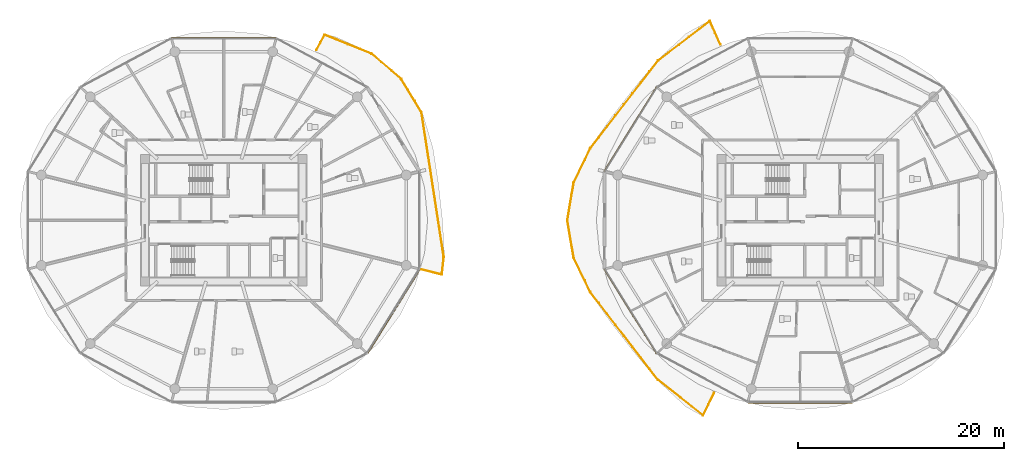
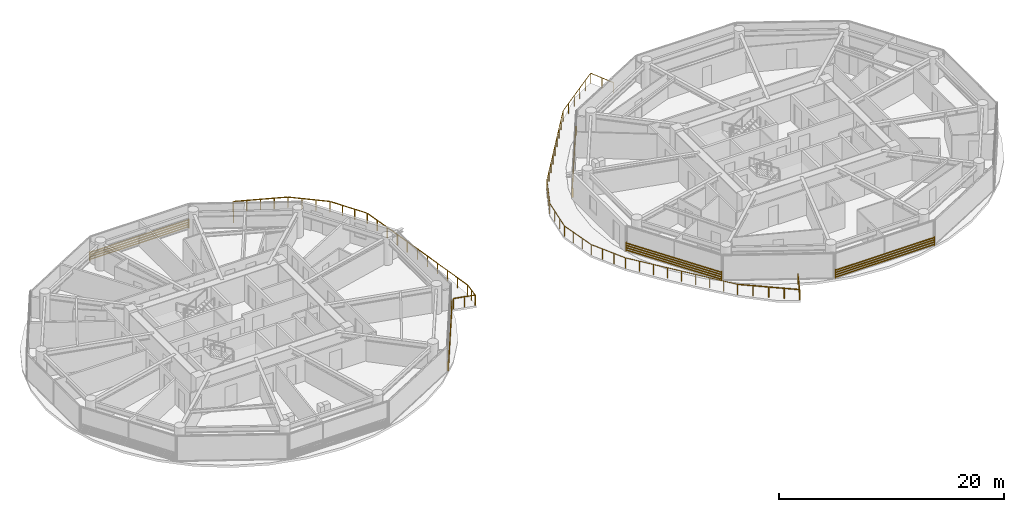
# One storey, part 23 of 26: 5 shading devices, 3 railings.
"""IFC4 building model written with IfcOpenShell, lengths in metres."""

import ifcopenshell
import ifcopenshell.guid

model = None  # the IFC model being written
_history = None  # IfcOwnerHistory: only IFC2X3 demands one
_inside = {}  # id of a spatial element -> (the spatial element, [elements in it])
_under = {}  # id of a project, library or spatial element -> (it, [spatial elements below it])
_declared = {}  # id of a project -> (the project, [libraries it declares])
_typed = {}  # id of a type object -> (the type object, [elements of that type])
_made_of = {}  # id of a material, layer set ... -> (it, [elements and type objects made of it])


def new_model(schema):
    """Start an empty IFC model of exactly this schema.

    Asked for "IFC4X3", IfcOpenShell would pick the latest addendum, in which some entities
    have other attributes; the version numbers below select the first issue.
    IFC2X3 requires an IfcOwnerHistory on every rooted entity: one is made here for all.
    """
    global model, _history
    if schema == "IFC4X3":
        model = ifcopenshell.file(schema_version=(4, 3, 0, 0))
    else:
        model = ifcopenshell.file(schema=schema)
    _inside.clear()
    _under.clear()
    _declared.clear()
    _typed.clear()
    _made_of.clear()
    _history = None
    if model.schema == "IFC2X3":
        org = make("IfcOrganization", Name="unknown")
        user = make(
            "IfcPersonAndOrganization",
            ThePerson=make("IfcPerson", FamilyName="unknown"),
            TheOrganization=org,
        )
        app = make(
            "IfcApplication",
            ApplicationDeveloper=org,
            Version="unknown",
            ApplicationFullName="unknown",
            ApplicationIdentifier="unknown",
        )
        _history = make(
            "IfcOwnerHistory",
            OwningUser=user,
            OwningApplication=app,
            ChangeAction="ADDED",
            CreationDate=0,
        )
    return model


def make(cls, **values):
    """One entity of the class cls with the attributes given. An attribute that is None is left unset."""
    return model.create_entity(
        cls, **{name: value for name, value in values.items() if value is not None}
    )


def rooted(cls, **values):
    """An entity with a GlobalId (a new one), such as an element, a storey or a relation."""
    return make(cls, GlobalId=ifcopenshell.guid.new(), OwnerHistory=_history, **values)


def si_unit(unit_type, name, prefix=None):
    """IfcSIUnit, for example si_unit("LENGTHUNIT", "METRE", prefix="MILLI")."""
    return make("IfcSIUnit", UnitType=unit_type, Prefix=prefix, Name=name)


def assignment(units):
    """IfcUnitAssignment: the units of a project."""
    return None if units is None else make("IfcUnitAssignment", Units=units)


def point(xyz):
    """IfcCartesianPoint."""
    return None if xyz is None else make("IfcCartesianPoint", Coordinates=xyz)


def direction(xyz):
    """IfcDirection."""
    return None if xyz is None else make("IfcDirection", DirectionRatios=xyz)


def frame(location, z_axis=None, x_axis=None):
    """IfcAxis2Placement3D, a coordinate frame: its origin and axes. An axis left out is left unset."""
    return make(
        "IfcAxis2Placement3D",
        Location=point(location),
        Axis=direction(z_axis),
        RefDirection=direction(x_axis),
    )


def frame_2d(location, x_axis=None):
    """IfcAxis2Placement2D, a coordinate frame in the plane: its origin and x axis."""
    return make(
        "IfcAxis2Placement2D", Location=point(location), RefDirection=direction(x_axis)
    )


def origin():
    """The frame at (0, 0, 0) with its axes left unset."""
    return frame((0.0, 0.0, 0.0))


def origin_2d():
    """The frame at (0, 0) in the plane with its x axis left unset."""
    return frame_2d((0.0, 0.0))


def place(relative_to, where):
    """IfcLocalPlacement: puts the frame where relative to a parent placement (None: the world)."""
    return make(
        "IfcLocalPlacement", PlacementRelTo=relative_to, RelativePlacement=where
    )


def context(
    kind, dimensions, precision=None, world=None, true_north=None, identifier=None
):
    """IfcGeometricRepresentationContext, for example the 3D "Model" context."""
    return make(
        "IfcGeometricRepresentationContext",
        ContextIdentifier=identifier,
        ContextType=kind,
        CoordinateSpaceDimension=dimensions,
        Precision=precision,
        WorldCoordinateSystem=world,
        TrueNorth=true_north,
    )


def subcontext(parent, identifier, kind, view, scale=None):
    """IfcGeometricRepresentationSubContext, for example "Body" below "Model"."""
    return make(
        "IfcGeometricRepresentationSubContext",
        ContextIdentifier=identifier,
        ContextType=kind,
        ParentContext=parent,
        TargetScale=scale,
        TargetView=view,
    )


def project(units=None, contexts=None):
    """IfcProject with its units and contexts."""
    return rooted(
        "IfcProject",
        Name="project",
        RepresentationContexts=contexts,
        UnitsInContext=assignment(units),
    )


def spatial(cls, under=None, at=None, **own):
    """A site, building, storey or space (cls), placed at a placement, below another one or the project."""
    s = rooted(cls, ObjectPlacement=at, **own)
    if under is not None:
        _under.setdefault(under.id(), (under, []))[1].append(s)
    return s


def profile(cls, at=None, kind="AREA", **sizes):
    """A parametric profile (cls). Its sizes go by their IFC names, for example OverallWidth=200.0."""
    return make(cls, ProfileType=kind, Position=at, **sizes)


def rectangle(**sizes):
    """IfcRectangleProfileDef."""
    return profile("IfcRectangleProfileDef", **sizes)


def extrude(swept, where, along, depth):
    """IfcExtrudedAreaSolid: the profile swept, set in the frame where, extruded along a direction by depth."""
    return make(
        "IfcExtrudedAreaSolid",
        SweptArea=swept,
        Position=where,
        ExtrudedDirection=direction(along),
        Depth=depth,
    )


def shape(context_of_items, identifier, shape_type, items):
    """IfcShapeRepresentation: the items that make up one representation, for example the "Body"."""
    return make(
        "IfcShapeRepresentation",
        ContextOfItems=context_of_items,
        RepresentationIdentifier=identifier,
        RepresentationType=shape_type,
        Items=items,
    )


def source(mapping_origin, context_of_items, identifier, shape_type, items):
    """IfcRepresentationMap: a shape defined once, which mapped items show again and again."""
    return make(
        "IfcRepresentationMap",
        MappingOrigin=mapping_origin,
        MappedRepresentation=shape(context_of_items, identifier, shape_type, items),
    )


def transform(
    local_origin,
    x_axis=None,
    y_axis=None,
    z_axis=None,
    scale=None,
    scale2=None,
    scale3=None,
    uniform=True,
):
    """IfcCartesianTransformationOperator3D, or its non-uniform kind. x_axis, y_axis, z_axis: its Axis1, 2, 3."""
    if uniform:
        return make(
            "IfcCartesianTransformationOperator3D",
            Axis1=direction(x_axis),
            Axis2=direction(y_axis),
            LocalOrigin=point(local_origin),
            Scale=scale,
            Axis3=direction(z_axis),
        )
    return make(
        "IfcCartesianTransformationOperator3DnonUniform",
        Axis1=direction(x_axis),
        Axis2=direction(y_axis),
        LocalOrigin=point(local_origin),
        Scale=scale,
        Axis3=direction(z_axis),
        Scale2=scale2,
        Scale3=scale3,
    )


def mapped(mapping_source, mapping_target):
    """IfcMappedItem: shows the shape of a source again, moved by a transform."""
    return make(
        "IfcMappedItem", MappingSource=mapping_source, MappingTarget=mapping_target
    )


def material(Name=None, Category=None):
    """IfcMaterial."""
    return make("IfcMaterial", Name=Name, Category=Category)


def made_of(thing, what):
    """Note that an element or type object is made of a material, layer set ...; save() writes the relation."""
    if what is not None:
        _made_of.setdefault(what.id(), (what, []))[1].append(thing)
    return thing


def type_object(cls, material=None, **own):
    """A type object (cls), such as IfcWallType, which elements share."""
    return made_of(rooted(cls, **own), material)


def type_shapes(of_type, sources):
    """Give a type object the sources (RepresentationMaps) that its elements show as mapped items."""
    of_type.RepresentationMaps = sources


def element(
    cls,
    number,
    at=None,
    inside=None,
    cuts=None,
    type_object=None,
    material=None,
    context=None,
    identifier="Body",
    shape_type=None,
    held_by="IfcProductDefinitionShape",
    body=None,
    shapes=None,
    **own,
):
    """One element of the class cls, such as IfcWall. Its Tag is "e" and its number.

    at: its placement. inside: the storey or other place that contains it. cuts: it is an
    opening in that element (IfcRelVoidsElement). A single representation is given by context,
    identifier, shape_type and body (its items); several are given by shapes. held_by: the class
    of the entity that holds the representations. save() writes the other relations.
    """
    e = rooted(cls, Tag="e%d" % number, ObjectPlacement=at, **own)
    if body is not None:
        shapes = [shape(context, identifier, shape_type, body)]
    if shapes is not None:
        e.Representation = make(held_by, Representations=shapes)
    if inside is not None:
        _inside.setdefault(inside.id(), (inside, []))[1].append(e)
    if cuts is not None:
        rooted(
            "IfcRelVoidsElement", RelatingBuildingElement=cuts, RelatedOpeningElement=e
        )
    if type_object is not None:
        _typed.setdefault(type_object.id(), (type_object, []))[1].append(e)
    return made_of(e, material)


def aggregate(whole, parts):
    """IfcRelAggregates: a whole, such as a stair, and the parts it consists of."""
    return rooted("IfcRelAggregates", RelatingObject=whole, RelatedObjects=parts)


def save(model, path):
    """Write the relations noted so far, then the file.

    IfcRelAggregates (storeys below a building ...), IfcRelContainedInSpatialStructure (elements
    in a storey), IfcRelDefinesByType, IfcRelAssociatesMaterial and IfcRelDeclares: one each for
    every whole, place, type object, material and project.
    """
    for whole, parts in _under.values():
        aggregate(whole, parts)
    for where, things in _inside.values():
        rooted(
            "IfcRelContainedInSpatialStructure",
            RelatedElements=things,
            RelatingStructure=where,
        )
    for kind, things in _typed.values():
        rooted("IfcRelDefinesByType", RelatedObjects=things, RelatingType=kind)
    for what, things in _made_of.values():
        rooted("IfcRelAssociatesMaterial", RelatedObjects=things, RelatingMaterial=what)
    for by, libraries in _declared.values():
        rooted("IfcRelDeclares", RelatingContext=by, RelatedDefinitions=libraries)
    model.write(path)


model = new_model("IFC4")

# Units and contexts
model_context = context("Model", 3, precision=1e-05, world=origin(), true_north=direction((0.0, 1.0)))
body_context = subcontext(model_context, "Body", "Model", "MODEL_VIEW")
ifc_project = project(units=[si_unit("LENGTHUNIT", "METRE"), si_unit("AREAUNIT", "SQUARE_METRE"), si_unit("VOLUMEUNIT", "CUBIC_METRE"), si_unit("PLANEANGLEUNIT", "RADIAN"), si_unit("MASSUNIT", "GRAM", prefix="KILO")], contexts=[model_context])

# Site, building, storey
site_placement = place(None, origin())
site = spatial("IfcSite", under=ifc_project, at=site_placement, CompositionType="ELEMENT")
building_placement = place(site_placement, origin())
building = spatial("IfcBuilding", under=site, at=building_placement, Name="Norrkilde Senior Care Towers", CompositionType="ELEMENT")
storey_placement = place(building_placement, frame((0.0, 0.0, 67.35009765625)))
storey = spatial("IfcBuildingStorey", under=building, at=storey_placement, Name="L20", CompositionType="ELEMENT", Elevation=67.35009765625)

# Railings
ifc_material_1 = material(Name="Anodised Aluminium", Category="aluminium")
railing_type = type_object("IfcRailingType", Name="Balcony Swirl Ribbon Guardrail 1150", PredefinedType="GUARDRAIL", material=ifc_material_1)
railing_1_placement = place(storey_placement, frame((14.187255859375, -15.5068359375, 0.0)))
element("IfcRailing", 1, at=railing_1_placement, inside=storey, type_object=railing_type, Name="L20 Perimeter Safety Guard 01", PredefinedType="GUARDRAIL", context=body_context, shape_type="SweptSolid", body=[
    extrude(rectangle(XDim=0.048095703125, YDim=0.048095703125, at=origin_2d()), frame((0.0, 0.0, 1.1259765625), z_axis=(-0.610699505536, 0.791862433721, 0.0), x_axis=(-0.791862433721, -0.610699505536, 0.0)), (0.0, 0.0, 1.0), 10.7294921875),
    extrude(rectangle(XDim=0.048095703125, YDim=0.048095703125, at=origin_2d()), frame((-6.59521484375, 8.5654296875, 1.1259765625), z_axis=(-0.436325473672, 0.899788909147, 0.0), x_axis=(-0.899788909147, -0.436325473672, 0.0)), (0.0, 0.0, 1.0), 3.606689453125),
    extrude(rectangle(XDim=0.048095703125, YDim=0.048095703125, at=origin_2d()), frame((-8.193603515625, 11.8876953125, 1.1259765625), z_axis=(-0.16688388307, 0.985976556299, 0.0), x_axis=(-0.985976556299, -0.16688388307, 0.0)), (0.0, 0.0, 1.0), 3.629638671875),
    extrude(rectangle(XDim=0.048095703125, YDim=0.048095703125, at=origin_2d()), frame((-8.79931640625, 15.547119140625, 1.1259765625), z_axis=(0.16688388307, 0.985976556299, 0.0), x_axis=(-0.985976556299, 0.16688388307, 0.0)), (0.0, 0.0, 1.0), 3.629638671875),
    extrude(rectangle(XDim=0.048095703125, YDim=0.048095703125, at=origin_2d()), frame((-8.1689453125, 19.203125, 1.1259765625), z_axis=(0.436325473672, 0.899788909147, 0.0), x_axis=(-0.899788909147, 0.436325473672, 0.0)), (0.0, 0.0, 1.0), 3.606689453125),
    extrude(rectangle(XDim=0.048095703125, YDim=0.048095703125, at=origin_2d()), frame((-6.552490234375, 22.517578125, 1.1259765625), z_axis=(0.610699505536, 0.791862433721, 0.0), x_axis=(-0.791862433721, 0.610699505536, 0.0)), (0.0, 0.0, 1.0), 10.6884765625),
    extrude(rectangle(XDim=0.048095703125, YDim=0.048095703125, at=origin_2d()), frame((0.032470703125, 31.038330078125, 1.1259765625), z_axis=(0.796061946443, 0.605215149699, 0.0), x_axis=(-0.605215149699, 0.796061946443, 0.0)), (0.0, 0.0, 1.0), 6.25439453125),
    extrude(rectangle(XDim=0.048095703125, YDim=0.048095703125, at=origin_2d()), frame((5.060791015625, 34.81103515625, 1.1259765625), z_axis=(0.409502361018, -0.912309057458, 0.0), x_axis=(0.912309057458, 0.409502361018, 0.0)), (0.0, 0.0, 1.0), 2.455322265625),
    extrude(rectangle(XDim=0.0419921875, YDim=0.0419921875, at=origin_2d()), origin(), (0.0, 0.0, 1.0), 1.099853515625),
    extrude(rectangle(XDim=0.0419921875, YDim=0.0419921875, at=origin_2d()), frame((-0.822265625, 1.066162109375, 0.0)), (0.0, 0.0, 1.0), 1.099853515625),
    extrude(rectangle(XDim=0.0419921875, YDim=0.0419921875, at=origin_2d()), frame((-1.644287109375, 2.132080078125, 0.0)), (0.0, 0.0, 1.0), 1.099853515625),
    extrude(rectangle(XDim=0.0419921875, YDim=0.0419921875, at=origin_2d()), frame((-2.466552734375, 3.1982421875, 0.0)), (0.0, 0.0, 1.0), 1.099853515625),
    extrude(rectangle(XDim=0.0419921875, YDim=0.0419921875, at=origin_2d()), frame((-3.28857421875, 4.26416015625, 0.0)), (0.0, 0.0, 1.0), 1.099853515625),
    extrude(rectangle(XDim=0.0419921875, YDim=0.0419921875, at=origin_2d()), frame((-4.11083984375, 5.330322265625, 0.0)), (0.0, 0.0, 1.0), 1.099853515625),
    extrude(rectangle(XDim=0.0419921875, YDim=0.0419921875, at=origin_2d()), frame((-4.93310546875, 6.396484375, 0.0)), (0.0, 0.0, 1.0), 1.099853515625),
    extrude(rectangle(XDim=0.0419921875, YDim=0.0419921875, at=origin_2d()), frame((-5.755126953125, 7.46240234375, 0.0)), (0.0, 0.0, 1.0), 1.099853515625),
    extrude(rectangle(XDim=0.0419921875, YDim=0.0419921875, at=origin_2d()), frame((-6.577392578125, 8.528564453125, 0.0)), (0.0, 0.0, 1.0), 1.099853515625),
    extrude(rectangle(XDim=0.0419921875, YDim=0.0419921875, at=origin_2d()), frame((-7.11376953125, 9.634765625, 0.0)), (0.0, 0.0, 1.0), 1.099853515625),
    extrude(rectangle(XDim=0.0419921875, YDim=0.0419921875, at=origin_2d()), frame((-7.650390625, 10.7412109375, 0.0)), (0.0, 0.0, 1.0), 1.099853515625),
    extrude(rectangle(XDim=0.0419921875, YDim=0.0419921875, at=origin_2d()), frame((-8.186767578125, 11.847412109375, 0.0)), (0.0, 0.0, 1.0), 1.099853515625),
    extrude(rectangle(XDim=0.0419921875, YDim=0.0419921875, at=origin_2d()), frame((-8.393310546875, 13.067138671875, 0.0)), (0.0, 0.0, 1.0), 1.099853515625),
    extrude(rectangle(XDim=0.0419921875, YDim=0.0419921875, at=origin_2d()), frame((-8.599609375, 14.287109375, 0.0)), (0.0, 0.0, 1.0), 1.099853515625),
    extrude(rectangle(XDim=0.0419921875, YDim=0.0419921875, at=origin_2d()), frame((-8.80615234375, 15.5068359375, 0.0)), (0.0, 0.0, 1.0), 1.099853515625),
    extrude(rectangle(XDim=0.0419921875, YDim=0.0419921875, at=origin_2d()), frame((-8.599609375, 16.7265625, 0.0)), (0.0, 0.0, 1.0), 1.099853515625),
    extrude(rectangle(XDim=0.0419921875, YDim=0.0419921875, at=origin_2d()), frame((-8.393310546875, 17.946533203125, 0.0)), (0.0, 0.0, 1.0), 1.099853515625),
    extrude(rectangle(XDim=0.0419921875, YDim=0.0419921875, at=origin_2d()), frame((-8.186767578125, 19.166259765625, 0.0)), (0.0, 0.0, 1.0), 1.099853515625),
    extrude(rectangle(XDim=0.0419921875, YDim=0.0419921875, at=origin_2d()), frame((-7.650390625, 20.2724609375, 0.0)), (0.0, 0.0, 1.0), 1.099853515625),
    extrude(rectangle(XDim=0.0419921875, YDim=0.0419921875, at=origin_2d()), frame((-7.11376953125, 21.37890625, 0.0)), (0.0, 0.0, 1.0), 1.099853515625),
    extrude(rectangle(XDim=0.0419921875, YDim=0.0419921875, at=origin_2d()), frame((-6.577392578125, 22.485107421875, 0.0)), (0.0, 0.0, 1.0), 1.099853515625),
    extrude(rectangle(XDim=0.0419921875, YDim=0.0419921875, at=origin_2d()), frame((-5.755126953125, 23.55126953125, 0.0)), (0.0, 0.0, 1.0), 1.099853515625),
    extrude(rectangle(XDim=0.0419921875, YDim=0.0419921875, at=origin_2d()), frame((-4.93310546875, 24.6171875, 0.0)), (0.0, 0.0, 1.0), 1.099853515625),
    extrude(rectangle(XDim=0.0419921875, YDim=0.0419921875, at=origin_2d()), frame((-4.11083984375, 25.683349609375, 0.0)), (0.0, 0.0, 1.0), 1.099853515625),
    extrude(rectangle(XDim=0.0419921875, YDim=0.0419921875, at=origin_2d()), frame((-3.28857421875, 26.74951171875, 0.0)), (0.0, 0.0, 1.0), 1.099853515625),
    extrude(rectangle(XDim=0.0419921875, YDim=0.0419921875, at=origin_2d()), frame((-2.466552734375, 27.8154296875, 0.0)), (0.0, 0.0, 1.0), 1.099853515625),
    extrude(rectangle(XDim=0.0419921875, YDim=0.0419921875, at=origin_2d()), frame((-1.644287109375, 28.881591796875, 0.0)), (0.0, 0.0, 1.0), 1.099853515625),
    extrude(rectangle(XDim=0.0419921875, YDim=0.0419921875, at=origin_2d()), frame((-0.822265625, 29.947509765625, 0.0)), (0.0, 0.0, 1.0), 1.099853515625),
    extrude(rectangle(XDim=0.0419921875, YDim=0.0419921875, at=origin_2d()), frame((0.0, 31.013671875, 0.0)), (0.0, 0.0, 1.0), 1.099853515625),
    extrude(rectangle(XDim=0.0419921875, YDim=0.0419921875, at=origin_2d()), frame((1.0087890625, 31.780517578125, 0.0)), (0.0, 0.0, 1.0), 1.099853515625),
    extrude(rectangle(XDim=0.0419921875, YDim=0.0419921875, at=origin_2d()), frame((2.017578125, 32.547607421875, 0.0)), (0.0, 0.0, 1.0), 1.099853515625),
    extrude(rectangle(XDim=0.0419921875, YDim=0.0419921875, at=origin_2d()), frame((3.0263671875, 33.314453125, 0.0)), (0.0, 0.0, 1.0), 1.099853515625),
    extrude(rectangle(XDim=0.0419921875, YDim=0.0419921875, at=origin_2d()), frame((4.03515625, 34.08154296875, 0.0)), (0.0, 0.0, 1.0), 1.099853515625),
    extrude(rectangle(XDim=0.0419921875, YDim=0.0419921875, at=origin_2d()), frame((5.0439453125, 34.848388671875, 0.0)), (0.0, 0.0, 1.0), 1.099853515625),
    extrude(rectangle(XDim=0.0419921875, YDim=0.0419921875, at=origin_2d()), frame((5.55517578125, 33.709716796875, 0.0)), (0.0, 0.0, 1.0), 1.099853515625),
    extrude(rectangle(XDim=0.0419921875, YDim=0.0419921875, at=origin_2d()), frame((6.066162109375, 32.571044921875, 0.0)), (0.0, 0.0, 1.0), 1.099853515625),
])
railing_2_placement = place(storey_placement, frame((19.630126953125, -16.794189453125, 0.0)))
element("IfcRailing", 2, at=railing_2_placement, inside=storey, type_object=railing_type, Name="L20 Perimeter Safety Guard 02", PredefinedType="GUARDRAIL", context=body_context, shape_type="SweptSolid", body=[
    extrude(rectangle(XDim=0.048095703125, YDim=0.048095703125, at=origin_2d()), frame((0.0, 0.0, 1.1259765625), z_axis=(-0.442171534291, -0.89693050693, 0.0), x_axis=(0.89693050693, -0.442171534291, 0.0)), (0.0, 0.0, 1.0), 2.383544921875),
    extrude(rectangle(XDim=0.048095703125, YDim=0.048095703125, at=origin_2d()), frame((-1.10400390625, -2.149169921875, 1.1259765625), z_axis=(-0.783901080314, 0.620885735287, 0.0), x_axis=(-0.620885735287, -0.783901080314, 0.0)), (0.0, 0.0, 1.0), 5.534912109375),
    extrude(rectangle(XDim=0.0419921875, YDim=0.0419921875, at=origin_2d()), origin(), (0.0, 0.0, 1.0), 1.099853515625),
    extrude(rectangle(XDim=0.0419921875, YDim=0.0419921875, at=origin_2d()), frame((-0.5361328125, -1.08740234375, 0.0)), (0.0, 0.0, 1.0), 1.099853515625),
    extrude(rectangle(XDim=0.0419921875, YDim=0.0419921875, at=origin_2d()), frame((-1.072021484375, -2.174560546875, 0.0)), (0.0, 0.0, 1.0), 1.099853515625),
    extrude(rectangle(XDim=0.0419921875, YDim=0.0419921875, at=origin_2d()), frame((-2.164794921875, -1.30908203125, 0.0)), (0.0, 0.0, 1.0), 1.099853515625),
    extrude(rectangle(XDim=0.0419921875, YDim=0.0419921875, at=origin_2d()), frame((-3.25732421875, -0.443603515625, 0.0)), (0.0, 0.0, 1.0), 1.099853515625),
    extrude(rectangle(XDim=0.0419921875, YDim=0.0419921875, at=origin_2d()), frame((-4.35009765625, 0.421875, 0.0)), (0.0, 0.0, 1.0), 1.099853515625),
    extrude(rectangle(XDim=0.0419921875, YDim=0.0419921875, at=origin_2d()), frame((-5.44287109375, 1.287353515625, 0.0)), (0.0, 0.0, 1.0), 1.099853515625),
])
railing_3_placement = place(storey_placement, frame((-19.006591796875, 16.52392578125, 0.0)))
element("IfcRailing", 3, at=railing_3_placement, inside=storey, type_object=railing_type, Name="L20 Perimeter Safety Guard 03", PredefinedType="GUARDRAIL", context=body_context, shape_type="SweptSolid", body=[
    extrude(rectangle(XDim=0.048095703125, YDim=0.048095703125, at=origin_2d()), frame((0.0, 0.0, 1.1259765625), z_axis=(0.474263742174, 0.880382816086, 0.0), x_axis=(-0.880382816086, 0.474263742174, 0.0)), (0.0, 0.0, 1.0), 1.646484375),
    extrude(rectangle(XDim=0.048095703125, YDim=0.048095703125, at=origin_2d()), frame((0.838134765625, 1.47021484375, 1.1259765625), z_axis=(0.927504767576, -0.373811324233, 0.0), x_axis=(0.373811324233, 0.927504767576, 0.0)), (0.0, 0.0, 1.0), 4.8369140625),
    extrude(rectangle(XDim=0.048095703125, YDim=0.048095703125, at=origin_2d()), frame((5.3935546875, -0.37939453125, 1.1259765625), z_axis=(0.761840993749, -0.647764077611, 0.0), x_axis=(0.647764077611, 0.761840993749, 0.0)), (0.0, 0.0, 1.0), 3.717041015625),
    extrude(rectangle(XDim=0.048095703125, YDim=0.048095703125, at=origin_2d()), frame((8.277587890625, -2.8486328125, 1.1259765625), z_axis=(0.519909928141, -0.85422108767, 0.0), x_axis=(0.85422108767, 0.519909928141, 0.0)), (0.0, 0.0, 1.0), 3.684326171875),
    extrude(rectangle(XDim=0.048095703125, YDim=0.048095703125, at=origin_2d()), frame((10.220703125, -6.071044921875, 1.1259765625), z_axis=(0.152339656919, -0.988328198996, 0.0), x_axis=(0.988328198996, 0.152339656919, 0.0)), (0.0, 0.0, 1.0), 14.141357421875),
    extrude(rectangle(XDim=0.048095703125, YDim=0.048095703125, at=origin_2d()), frame((12.376708984375, -20.12841796875, 1.1259765625), z_axis=(-0.109642633544, -0.993971072471, 0.0), x_axis=(0.993971072471, -0.109642633544, 0.0)), (0.0, 0.0, 1.0), 1.650634765625),
    extrude(rectangle(XDim=0.048095703125, YDim=0.048095703125, at=origin_2d()), frame((12.151611328125, -21.7998046875, 1.1259765625), z_axis=(-0.969362471589, 0.245634685406, 0.0), x_axis=(-0.245634685406, -0.969362471589, 0.0)), (0.0, 0.0, 1.0), 1.978759765625),
    extrude(rectangle(XDim=0.0419921875, YDim=0.0419921875, at=origin_2d()), origin(), (0.0, 0.0, 1.0), 1.099853515625),
    extrude(rectangle(XDim=0.0419921875, YDim=0.0419921875, at=origin_2d()), frame((0.400146484375, 0.74267578125, 0.0)), (0.0, 0.0, 1.0), 1.099853515625),
    extrude(rectangle(XDim=0.0419921875, YDim=0.0419921875, at=origin_2d()), frame((0.80029296875, 1.485595703125, 0.0)), (0.0, 0.0, 1.0), 1.099853515625),
    extrude(rectangle(XDim=0.0419921875, YDim=0.0419921875, at=origin_2d()), frame((1.94091796875, 1.02587890625, 0.0)), (0.0, 0.0, 1.0), 1.099853515625),
    extrude(rectangle(XDim=0.0419921875, YDim=0.0419921875, at=origin_2d()), frame((3.081298828125, 0.56640625, 0.0)), (0.0, 0.0, 1.0), 1.099853515625),
    extrude(rectangle(XDim=0.0419921875, YDim=0.0419921875, at=origin_2d()), frame((4.2216796875, 0.106689453125, 0.0)), (0.0, 0.0, 1.0), 1.099853515625),
    extrude(rectangle(XDim=0.0419921875, YDim=0.0419921875, at=origin_2d()), frame((5.3623046875, -0.35302734375, 0.0)), (0.0, 0.0, 1.0), 1.099853515625),
    extrude(rectangle(XDim=0.0419921875, YDim=0.0419921875, at=origin_2d()), frame((6.326904296875, -1.17333984375, 0.0)), (0.0, 0.0, 1.0), 1.099853515625),
    extrude(rectangle(XDim=0.0419921875, YDim=0.0419921875, at=origin_2d()), frame((7.291748046875, -1.993408203125, 0.0)), (0.0, 0.0, 1.0), 1.099853515625),
    extrude(rectangle(XDim=0.0419921875, YDim=0.0419921875, at=origin_2d()), frame((8.25634765625, -2.813720703125, 0.0)), (0.0, 0.0, 1.0), 1.099853515625),
    extrude(rectangle(XDim=0.0419921875, YDim=0.0419921875, at=origin_2d()), frame((8.908935546875, -3.885986328125, 0.0)), (0.0, 0.0, 1.0), 1.099853515625),
    extrude(rectangle(XDim=0.0419921875, YDim=0.0419921875, at=origin_2d()), frame((9.561767578125, -4.95849609375, 0.0)), (0.0, 0.0, 1.0), 1.099853515625),
    extrude(rectangle(XDim=0.0419921875, YDim=0.0419921875, at=origin_2d()), frame((10.21435546875, -6.03076171875, 0.0)), (0.0, 0.0, 1.0), 1.099853515625),
    extrude(rectangle(XDim=0.0419921875, YDim=0.0419921875, at=origin_2d()), frame((10.43115234375, -7.4365234375, 0.0)), (0.0, 0.0, 1.0), 1.099853515625),
    extrude(rectangle(XDim=0.0419921875, YDim=0.0419921875, at=origin_2d()), frame((10.647705078125, -8.84228515625, 0.0)), (0.0, 0.0, 1.0), 1.099853515625),
    extrude(rectangle(XDim=0.0419921875, YDim=0.0419921875, at=origin_2d()), frame((10.8642578125, -10.247802734375, 0.0)), (0.0, 0.0, 1.0), 1.099853515625),
    extrude(rectangle(XDim=0.0419921875, YDim=0.0419921875, at=origin_2d()), frame((11.0810546875, -11.653564453125, 0.0)), (0.0, 0.0, 1.0), 1.099853515625),
    extrude(rectangle(XDim=0.0419921875, YDim=0.0419921875, at=origin_2d()), frame((11.2978515625, -13.059326171875, 0.0)), (0.0, 0.0, 1.0), 1.099853515625),
    extrude(rectangle(XDim=0.0419921875, YDim=0.0419921875, at=origin_2d()), frame((11.514404296875, -14.465087890625, 0.0)), (0.0, 0.0, 1.0), 1.099853515625),
    extrude(rectangle(XDim=0.0419921875, YDim=0.0419921875, at=origin_2d()), frame((11.73095703125, -15.870849609375, 0.0)), (0.0, 0.0, 1.0), 1.099853515625),
    extrude(rectangle(XDim=0.0419921875, YDim=0.0419921875, at=origin_2d()), frame((11.94775390625, -17.2763671875, 0.0)), (0.0, 0.0, 1.0), 1.099853515625),
    extrude(rectangle(XDim=0.0419921875, YDim=0.0419921875, at=origin_2d()), frame((12.16455078125, -18.68212890625, 0.0)), (0.0, 0.0, 1.0), 1.099853515625),
    extrude(rectangle(XDim=0.0419921875, YDim=0.0419921875, at=origin_2d()), frame((12.381103515625, -20.087890625, 0.0)), (0.0, 0.0, 1.0), 1.099853515625),
    extrude(rectangle(XDim=0.0419921875, YDim=0.0419921875, at=origin_2d()), frame((12.2861328125, -20.94873046875, 0.0)), (0.0, 0.0, 1.0), 1.099853515625),
    extrude(rectangle(XDim=0.0419921875, YDim=0.0419921875, at=origin_2d()), frame((12.191162109375, -21.809814453125, 0.0)), (0.0, 0.0, 1.0), 1.099853515625),
    extrude(rectangle(XDim=0.0419921875, YDim=0.0419921875, at=origin_2d()), frame((11.21240234375, -21.561767578125, 0.0)), (0.0, 0.0, 1.0), 1.099853515625),
    extrude(rectangle(XDim=0.0419921875, YDim=0.0419921875, at=origin_2d()), frame((10.2333984375, -21.313720703125, 0.0)), (0.0, 0.0, 1.0), 1.099853515625),
])

# Shading devices
ifc_material_2 = material(Name="Architectural Terracotta", Category="masonry")
shading_device_type = type_object("IfcShadingDeviceType", Name="Horizontal Terracotta Baguette Rack", PredefinedType="USERDEFINED", material=ifc_material_2)
shared_shape_1 = source(origin(), body_context, "Body", "SweptSolid", [
    extrude(rectangle(XDim=0.070068359375, YDim=0.110107421875, at=origin_2d()), frame((0.0, 0.090087890625, 0.125), z_axis=(1.0, 0.0, 0.0), x_axis=(0.0, 1.0, 0.0)), (0.0, 0.0, 1.0), 9.64892578125),
    extrude(rectangle(XDim=0.070068359375, YDim=0.110107421875, at=origin_2d()), frame((0.0, 0.090087890625, 0.375), z_axis=(1.0, 0.0, 0.0), x_axis=(0.0, 1.0, 0.0)), (0.0, 0.0, 1.0), 9.64892578125),
    extrude(rectangle(XDim=0.070068359375, YDim=0.110107421875, at=origin_2d()), frame((0.0, 0.090087890625, 0.625), z_axis=(1.0, 0.0, 0.0), x_axis=(0.0, 1.0, 0.0)), (0.0, 0.0, 1.0), 9.64892578125),
    extrude(rectangle(XDim=0.070068359375, YDim=0.110107421875, at=origin_2d()), frame((0.0, 0.090087890625, 0.875), z_axis=(1.0, 0.0, 0.0), x_axis=(0.0, 1.0, 0.0)), (0.0, 0.0, 1.0), 9.64892578125),
    extrude(rectangle(XDim=0.050048828125, YDim=0.1552734375, at=origin_2d()), frame((0.02490234375, 0.047607421875, 0.0)), (0.0, 0.0, 1.0), 1.0),
    extrude(rectangle(XDim=0.050048828125, YDim=0.1552734375, at=origin_2d()), frame((9.6240234375, 0.047607421875, 0.0)), (0.0, 0.0, 1.0), 1.0),
])
for number, where, z_axis, x_axis, name in (
    (4, (-8.990478515625, -4.731201171875, 0.079833984375), (0.0, 0.0, 1.0), (-0.527908506655, -0.849299124538, 0.0), "L20 Drum W Terracotta Baguette Screen 10"),
    (5, (8.990478515625, 4.731201171875, 0.079833984375), (0.0, 0.0, 1.0), (0.527908506655, 0.849299124538, 0.0), "L20 Drum E Terracotta Baguette Screen 04"),
    (6, (14.084228515625, -12.926025390625, 0.079833984375), (0.0, 0.0, 1.0), (-0.527908506655, 0.849299124538, 0.0), "L20 Drum E Terracotta Baguette Screen 06"),
):
    element("IfcShadingDevice", number, at=place(storey_placement, frame(where, z_axis=z_axis, x_axis=x_axis)), inside=storey, type_object=shading_device_type, Name=name, ObjectType="BAGUETTE", PredefinedType="USERDEFINED", context=body_context, shape_type="MappedRepresentation", body=[
        mapped(shared_shape_1, transform((0.0, 0.0, 0.0), x_axis=(1.0, 0.0, 0.0), y_axis=(0.0, 1.0, 0.0), z_axis=(0.0, 0.0, 1.0), scale=1.0)),
    ])
shared_shape_2 = source(origin(), body_context, "Body", "SweptSolid", [
    extrude(rectangle(XDim=0.070068359375, YDim=0.110107421875, at=origin_2d()), frame((0.0, 0.090087890625, 0.125), z_axis=(1.0, 0.0, 0.0), x_axis=(0.0, 1.0, 0.0)), (0.0, 0.0, 1.0), 10.18701171875),
    extrude(rectangle(XDim=0.070068359375, YDim=0.110107421875, at=origin_2d()), frame((0.0, 0.090087890625, 0.375), z_axis=(1.0, 0.0, 0.0), x_axis=(0.0, 1.0, 0.0)), (0.0, 0.0, 1.0), 10.18701171875),
    extrude(rectangle(XDim=0.070068359375, YDim=0.110107421875, at=origin_2d()), frame((0.0, 0.090087890625, 0.625), z_axis=(1.0, 0.0, 0.0), x_axis=(0.0, 1.0, 0.0)), (0.0, 0.0, 1.0), 10.18701171875),
    extrude(rectangle(XDim=0.070068359375, YDim=0.110107421875, at=origin_2d()), frame((0.0, 0.090087890625, 0.875), z_axis=(1.0, 0.0, 0.0), x_axis=(0.0, 1.0, 0.0)), (0.0, 0.0, 1.0), 10.18701171875),
    extrude(rectangle(XDim=0.050048828125, YDim=0.1552734375, at=origin_2d()), frame((0.02490234375, 0.047607421875, 0.0)), (0.0, 0.0, 1.0), 1.0),
    extrude(rectangle(XDim=0.050048828125, YDim=0.1552734375, at=origin_2d()), frame((10.162109375, 0.047607421875, 0.0)), (0.0, 0.0, 1.0), 1.0),
])
type_shapes(shading_device_type, [shared_shape_1, shared_shape_2])
for number, where, z_axis, x_axis, name in (
    (7, (-33.093505859375, 17.6572265625, 0.079833984375), (0.0, 0.0, 1.0), (1.0, 0.0, 0.0), "L20 Drum W Terracotta Baguette Screen 02"),
    (8, (33.093505859375, -17.6572265625, 0.079833984375), (0.0, 0.0, 1.0), (-1.0, 0.0, 0.0), "L20 Drum E Terracotta Baguette Screen 08"),
):
    element("IfcShadingDevice", number, at=place(storey_placement, frame(where, z_axis=z_axis, x_axis=x_axis)), inside=storey, type_object=shading_device_type, Name=name, ObjectType="BAGUETTE", PredefinedType="USERDEFINED", context=body_context, shape_type="MappedRepresentation", body=[
        mapped(shared_shape_2, transform((0.0, 0.0, 0.0), x_axis=(1.0, 0.0, 0.0), y_axis=(0.0, 1.0, 0.0), z_axis=(0.0, 0.0, 1.0), scale=1.0)),
    ])

save(model, "model.ifc")
